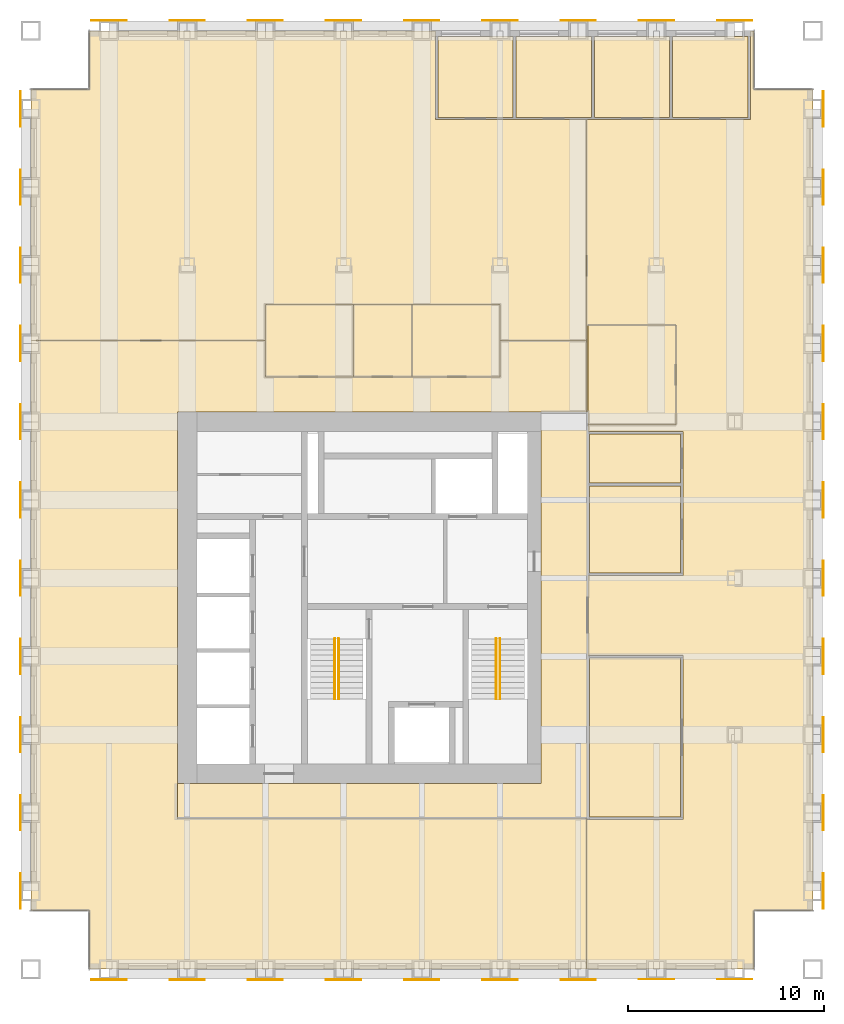
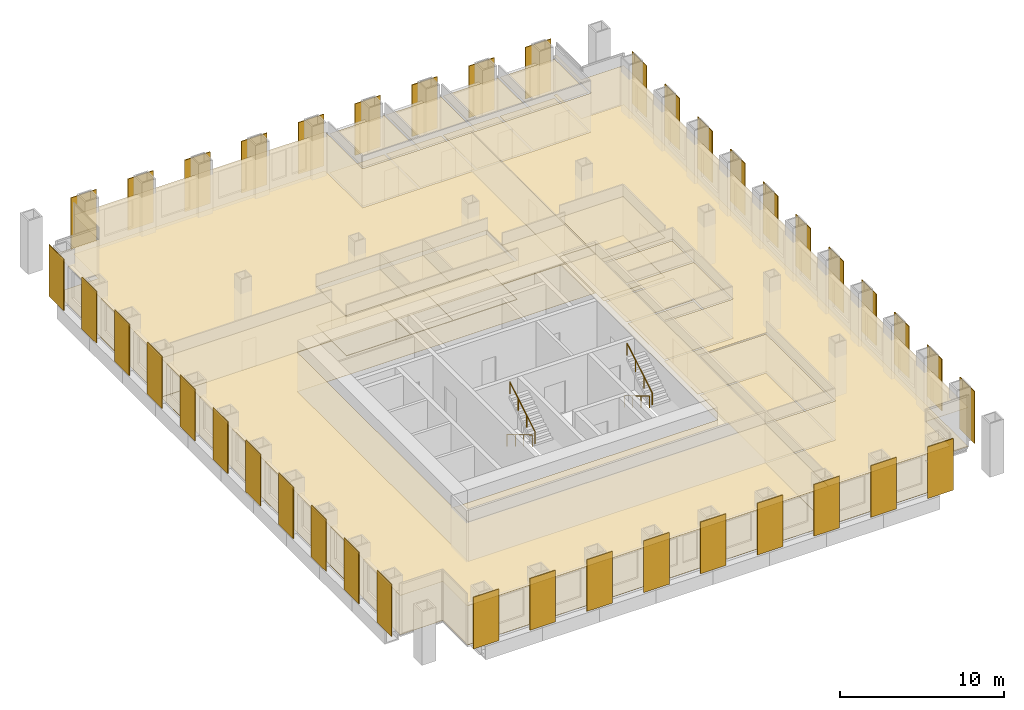
# One storey, part 13 of 13: 40 shading devices, 29 coverings, 4 railings.
"""IFC4 building model written with IfcOpenShell, lengths in metres."""

from ifc_helpers import new_model, si_unit, direction, frame, origin, origin_2d, place, context, subcontext, project, spatial, polyline, rectangle, circle, outline, extrude, material, layer, layer_set, type_object, element, save


model = new_model("IFC4")

# Units and contexts
model_context = context("Model", 3, precision=1e-05, world=origin(), true_north=direction((0.0, 1.0)))
body_context = subcontext(model_context, "Body", "Model", "MODEL_VIEW")
ifc_project = project(units=[si_unit("LENGTHUNIT", "METRE"), si_unit("AREAUNIT", "SQUARE_METRE"), si_unit("VOLUMEUNIT", "CUBIC_METRE"), si_unit("PLANEANGLEUNIT", "RADIAN"), si_unit("MASSUNIT", "GRAM", prefix="KILO")], contexts=[model_context])

# Site, building, storey
site_placement = place(None, origin())
site = spatial("IfcSite", under=ifc_project, at=site_placement, CompositionType="ELEMENT")
building_placement = place(site_placement, origin())
building = spatial("IfcBuilding", under=site, at=building_placement, Name="Rimbunsela Tower", CompositionType="ELEMENT")
storey_placement = place(building_placement, frame((0.0, 0.0, 218.199951171875)))
storey = spatial("IfcBuildingStorey", under=building, at=storey_placement, Name="L52", CompositionType="ELEMENT", Elevation=218.199951171875)

# Coverings
ifc_material_1 = material(Name="Nylon carpet tile", Category="textile")
ifc_layer_1 = layer(ifc_material_1, 0.010009765625)
ifc_layer_set_1 = layer_set([ifc_layer_1], Name="Carpet tile 10")
covering_type_1 = type_object("IfcCoveringType", Name="Carpet tile 10", PredefinedType="FLOORING", material=ifc_layer_set_1)
covering_1_placement = place(storey_placement, origin())
element("IfcCovering", 1, at=covering_1_placement, inside=storey, type_object=covering_type_1, Name="Floor finish Open office", PredefinedType="FLOORING", context=body_context, shape_type="SweptSolid", body=[
    extrude(outline(polyline([(38.425048828125, 51.449951171875), (38.5, 51.449951171875), (38.699951171875, 51.449951171875), (38.800048828125, 51.449951171875), (42.699951171875, 51.449951171875), (42.800048828125, 51.449951171875), (46.800048828125, 51.449951171875), (46.800048828125, 56.0), (47.0, 56.0), (47.0, 53.0), (50.0, 53.0), (50.0, 11.0), (47.0, 11.0), (47.0, 8.0), (38.5, 8.0), (38.425048828125, 8.0), (38.425048828125, 15.699951171875), (38.449951171875, 15.699951171875), (38.449951171875, 15.64990234375), (38.5, 15.64990234375), (43.35009765625, 15.64990234375), (43.35009765625, 24.050048828125), (38.5, 24.050048828125), (38.5, 28.14990234375), (43.35009765625, 28.14990234375), (43.35009765625, 32.75), (43.35009765625, 32.85009765625), (43.35009765625, 35.5), (38.5, 35.5), (38.5, 35.85009765625), (43.0, 35.85009765625), (43.0, 40.949951171875), (38.5, 40.949951171875), (38.5, 36.5), (38.425048828125, 36.5), (38.425048828125, 51.449951171875)])), origin(), (0.0, 0.0, 1.0), 0.010009765625),
])
covering_2_placement = place(storey_placement, origin())
element("IfcCovering", 2, at=covering_2_placement, inside=storey, type_object=covering_type_1, Name="Floor finish Open office", PredefinedType="FLOORING", context=body_context, shape_type="SweptSolid", body=[
    extrude(outline(polyline([(10.0, 40.14990234375), (10.0, 53.0), (13.0, 53.0), (13.0, 56.0), (17.5, 56.0), (30.699951171875, 56.0), (30.699951171875, 51.449951171875), (34.699951171875, 51.449951171875), (34.800048828125, 51.449951171875), (38.425048828125, 51.449951171875), (38.425048828125, 40.14990234375), (34.0, 40.14990234375), (34.0, 42.0), (22.0, 42.0), (22.0, 40.14990234375), (10.0, 40.14990234375)])), origin(), (0.0, 0.0, 1.0), 0.010009765625),
])
covering_3_placement = place(storey_placement, origin())
element("IfcCovering", 3, at=covering_3_placement, inside=storey, type_object=covering_type_1, Name="Floor finish Open office", PredefinedType="FLOORING", context=body_context, shape_type="SweptSolid", body=[
    extrude(outline(polyline([(13.0, 8.0), (13.0, 11.0), (10.0, 11.0), (10.0, 40.14990234375), (22.0, 40.14990234375), (22.0, 38.300048828125), (34.0, 38.300048828125), (34.0, 40.14990234375), (38.425048828125, 40.14990234375), (38.425048828125, 36.5), (36.10009765625, 36.5), (17.5, 36.5), (17.5, 17.5), (17.5, 15.699951171875), (38.425048828125, 15.699951171875), (38.425048828125, 8.0), (17.5, 8.0), (13.0, 8.0)])), origin(), (0.0, 0.0, 1.0), 0.010009765625),
])
covering_4_placement = place(storey_placement, origin())
element("IfcCovering", 4, at=covering_4_placement, inside=storey, type_object=covering_type_1, Name="Floor finish Reception", PredefinedType="FLOORING", context=body_context, shape_type="SweptSolid", body=[
    extrude(outline(polyline([(43.0, 35.85009765625), (43.0, 40.949951171875), (38.5, 40.949951171875), (38.5, 35.85009765625), (43.0, 35.85009765625)])), origin(), (0.0, 0.0, 1.0), 0.010009765625),
])
covering_5_placement = place(storey_placement, origin())
element("IfcCovering", 5, at=covering_5_placement, inside=storey, type_object=covering_type_1, Name="Floor finish Executive office", PredefinedType="FLOORING", context=body_context, shape_type="SweptSolid", body=[
    extrude(outline(polyline([(34.675048828125, 51.574951171875), (34.675048828125, 55.699951171875), (30.824951171875, 55.699951171875), (30.824951171875, 51.574951171875), (34.675048828125, 51.574951171875)])), origin(), (0.0, 0.0, 1.0), 0.010009765625),
])
covering_6_placement = place(storey_placement, origin())
element("IfcCovering", 6, at=covering_6_placement, inside=storey, type_object=covering_type_1, Name="Floor finish Executive office", PredefinedType="FLOORING", context=body_context, shape_type="SweptSolid", body=[
    extrude(outline(polyline([(38.675048828125, 51.574951171875), (38.675048828125, 55.699951171875), (34.824951171875, 55.699951171875), (34.824951171875, 51.574951171875), (38.675048828125, 51.574951171875)])), origin(), (0.0, 0.0, 1.0), 0.010009765625),
])
covering_7_placement = place(storey_placement, origin())
element("IfcCovering", 7, at=covering_7_placement, inside=storey, type_object=covering_type_1, Name="Floor finish Executive office", PredefinedType="FLOORING", context=body_context, shape_type="SweptSolid", body=[
    extrude(outline(polyline([(42.675048828125, 51.574951171875), (42.675048828125, 55.699951171875), (38.824951171875, 55.699951171875), (38.824951171875, 51.574951171875), (42.675048828125, 51.574951171875)])), origin(), (0.0, 0.0, 1.0), 0.010009765625),
])
covering_8_placement = place(storey_placement, origin())
element("IfcCovering", 8, at=covering_8_placement, inside=storey, type_object=covering_type_1, Name="Floor finish Executive office", PredefinedType="FLOORING", context=body_context, shape_type="SweptSolid", body=[
    extrude(outline(polyline([(46.675048828125, 51.574951171875), (46.675048828125, 55.699951171875), (42.824951171875, 55.699951171875), (42.824951171875, 51.574951171875), (46.675048828125, 51.574951171875)])), origin(), (0.0, 0.0, 1.0), 0.010009765625),
])
covering_9_placement = place(storey_placement, origin())
element("IfcCovering", 9, at=covering_9_placement, inside=storey, type_object=covering_type_1, Name="Floor finish Boardroom", PredefinedType="FLOORING", context=body_context, shape_type="SweptSolid", body=[
    extrude(outline(polyline([(43.22509765625, 15.77490234375), (43.22509765625, 23.925048828125), (38.574951171875, 23.925048828125), (38.574951171875, 15.77490234375), (43.22509765625, 15.77490234375)])), origin(), (0.0, 0.0, 1.0), 0.010009765625),
])
covering_10_placement = place(storey_placement, origin())
element("IfcCovering", 10, at=covering_10_placement, inside=storey, type_object=covering_type_1, Name="Floor finish Pantry", PredefinedType="FLOORING", context=body_context, shape_type="SweptSolid", body=[
    extrude(outline(polyline([(43.22509765625, 28.27490234375), (43.22509765625, 32.72509765625), (38.574951171875, 32.72509765625), (38.574951171875, 28.27490234375), (43.22509765625, 28.27490234375)])), origin(), (0.0, 0.0, 1.0), 0.010009765625),
])
covering_11_placement = place(storey_placement, origin())
element("IfcCovering", 11, at=covering_11_placement, inside=storey, type_object=covering_type_1, Name="Floor finish Print and copy room", PredefinedType="FLOORING", context=body_context, shape_type="SweptSolid", body=[
    extrude(outline(polyline([(43.22509765625, 32.875), (43.22509765625, 35.375), (38.574951171875, 35.375), (38.574951171875, 32.875), (43.22509765625, 32.875)])), origin(), (0.0, 0.0, 1.0), 0.010009765625),
])
ifc_material_2 = material(Name="Mineral fibre ceiling tile", Category="gypsum")
ifc_layer_2 = layer(ifc_material_2, 0.02001953125)
ifc_layer_set_2 = layer_set([ifc_layer_2], Name="Ceiling 600 grid")
covering_type_2 = type_object("IfcCoveringType", Name="Ceiling 600 grid", PredefinedType="CEILING", material=ifc_layer_set_2)
covering_12_placement = place(storey_placement, frame((0.0, 0.0, 2.900146484375)))
element("IfcCovering", 12, at=covering_12_placement, inside=storey, type_object=covering_type_2, Name="Ceiling L-shaped corridor", PredefinedType="CEILING", context=body_context, shape_type="SweptSolid", body=[
    extrude(outline(polyline([(38.5, 15.699951171875), (17.5, 15.699951171875), (17.5, 17.5), (36.10009765625, 17.5), (36.10009765625, 36.5), (38.5, 36.5), (38.5, 15.699951171875)])), origin(), (0.0, 0.0, 1.0), 0.02001953125),
])
covering_13_placement = place(storey_placement, frame((0.0, 0.0, 2.900146484375)))
element("IfcCovering", 13, at=covering_13_placement, inside=storey, type_object=covering_type_2, Name="Ceiling Open office", PredefinedType="CEILING", context=body_context, shape_type="SweptSolid", body=[
    extrude(outline(polyline([(38.425048828125, 51.449951171875), (38.5, 51.449951171875), (38.699951171875, 51.449951171875), (38.800048828125, 51.449951171875), (42.699951171875, 51.449951171875), (42.800048828125, 51.449951171875), (46.800048828125, 51.449951171875), (46.800048828125, 56.0), (47.0, 56.0), (47.0, 53.0), (50.0, 53.0), (50.0, 11.0), (47.0, 11.0), (47.0, 8.0), (38.5, 8.0), (38.425048828125, 8.0), (38.425048828125, 15.699951171875), (38.449951171875, 15.699951171875), (38.449951171875, 15.64990234375), (38.5, 15.64990234375), (43.35009765625, 15.64990234375), (43.35009765625, 24.050048828125), (38.5, 24.050048828125), (38.5, 28.14990234375), (43.35009765625, 28.14990234375), (43.35009765625, 32.75), (43.35009765625, 32.85009765625), (43.35009765625, 35.5), (38.5, 35.5), (38.5, 35.85009765625), (43.0, 35.85009765625), (43.0, 40.949951171875), (38.5, 40.949951171875), (38.5, 36.5), (38.425048828125, 36.5), (38.425048828125, 51.449951171875)])), origin(), (0.0, 0.0, 1.0), 0.02001953125),
])
covering_14_placement = place(storey_placement, frame((0.0, 0.0, 2.900146484375)))
element("IfcCovering", 14, at=covering_14_placement, inside=storey, type_object=covering_type_2, Name="Ceiling Open office", PredefinedType="CEILING", context=body_context, shape_type="SweptSolid", body=[
    extrude(outline(polyline([(10.0, 40.14990234375), (10.0, 53.0), (13.0, 53.0), (13.0, 56.0), (17.5, 56.0), (30.699951171875, 56.0), (30.699951171875, 51.449951171875), (34.699951171875, 51.449951171875), (34.800048828125, 51.449951171875), (38.425048828125, 51.449951171875), (38.425048828125, 40.14990234375), (34.0, 40.14990234375), (34.0, 42.0), (22.0, 42.0), (22.0, 40.14990234375), (10.0, 40.14990234375)])), origin(), (0.0, 0.0, 1.0), 0.02001953125),
])
covering_15_placement = place(storey_placement, frame((0.0, 0.0, 2.900146484375)))
element("IfcCovering", 15, at=covering_15_placement, inside=storey, type_object=covering_type_2, Name="Ceiling Open office", PredefinedType="CEILING", context=body_context, shape_type="SweptSolid", body=[
    extrude(outline(polyline([(13.0, 8.0), (13.0, 11.0), (10.0, 11.0), (10.0, 40.14990234375), (22.0, 40.14990234375), (22.0, 38.300048828125), (34.0, 38.300048828125), (34.0, 40.14990234375), (38.425048828125, 40.14990234375), (38.425048828125, 36.5), (36.10009765625, 36.5), (17.5, 36.5), (17.5, 17.5), (17.5, 15.699951171875), (38.425048828125, 15.699951171875), (38.425048828125, 8.0), (17.5, 8.0), (13.0, 8.0)])), origin(), (0.0, 0.0, 1.0), 0.02001953125),
])
covering_16_placement = place(storey_placement, frame((0.0, 0.0, 2.900146484375)))
element("IfcCovering", 16, at=covering_16_placement, inside=storey, type_object=covering_type_2, Name="Ceiling Reception", PredefinedType="CEILING", context=body_context, shape_type="SweptSolid", body=[
    extrude(outline(polyline([(43.0, 35.85009765625), (43.0, 40.949951171875), (38.5, 40.949951171875), (38.5, 35.85009765625), (43.0, 35.85009765625)])), origin(), (0.0, 0.0, 1.0), 0.02001953125),
])
covering_17_placement = place(storey_placement, frame((0.0, 0.0, 2.900146484375)))
element("IfcCovering", 17, at=covering_17_placement, inside=storey, type_object=covering_type_2, Name="Ceiling Executive office", PredefinedType="CEILING", context=body_context, shape_type="SweptSolid", body=[
    extrude(outline(polyline([(34.675048828125, 51.574951171875), (34.675048828125, 55.699951171875), (30.824951171875, 55.699951171875), (30.824951171875, 51.574951171875), (34.675048828125, 51.574951171875)])), origin(), (0.0, 0.0, 1.0), 0.02001953125),
])
covering_18_placement = place(storey_placement, frame((0.0, 0.0, 2.900146484375)))
element("IfcCovering", 18, at=covering_18_placement, inside=storey, type_object=covering_type_2, Name="Ceiling Executive office", PredefinedType="CEILING", context=body_context, shape_type="SweptSolid", body=[
    extrude(outline(polyline([(38.675048828125, 51.574951171875), (38.675048828125, 55.699951171875), (34.824951171875, 55.699951171875), (34.824951171875, 51.574951171875), (38.675048828125, 51.574951171875)])), origin(), (0.0, 0.0, 1.0), 0.02001953125),
])
covering_19_placement = place(storey_placement, frame((0.0, 0.0, 2.900146484375)))
element("IfcCovering", 19, at=covering_19_placement, inside=storey, type_object=covering_type_2, Name="Ceiling Executive office", PredefinedType="CEILING", context=body_context, shape_type="SweptSolid", body=[
    extrude(outline(polyline([(42.675048828125, 51.574951171875), (42.675048828125, 55.699951171875), (38.824951171875, 55.699951171875), (38.824951171875, 51.574951171875), (42.675048828125, 51.574951171875)])), origin(), (0.0, 0.0, 1.0), 0.02001953125),
])
covering_20_placement = place(storey_placement, frame((0.0, 0.0, 2.900146484375)))
element("IfcCovering", 20, at=covering_20_placement, inside=storey, type_object=covering_type_2, Name="Ceiling Executive office", PredefinedType="CEILING", context=body_context, shape_type="SweptSolid", body=[
    extrude(outline(polyline([(46.675048828125, 51.574951171875), (46.675048828125, 55.699951171875), (42.824951171875, 55.699951171875), (42.824951171875, 51.574951171875), (46.675048828125, 51.574951171875)])), origin(), (0.0, 0.0, 1.0), 0.02001953125),
])
covering_21_placement = place(storey_placement, frame((0.0, 0.0, 2.900146484375)))
element("IfcCovering", 21, at=covering_21_placement, inside=storey, type_object=covering_type_2, Name="Ceiling Boardroom", PredefinedType="CEILING", context=body_context, shape_type="SweptSolid", body=[
    extrude(outline(polyline([(43.22509765625, 15.77490234375), (43.22509765625, 23.925048828125), (38.574951171875, 23.925048828125), (38.574951171875, 15.77490234375), (43.22509765625, 15.77490234375)])), origin(), (0.0, 0.0, 1.0), 0.02001953125),
])
covering_22_placement = place(storey_placement, frame((0.0, 0.0, 2.900146484375)))
element("IfcCovering", 22, at=covering_22_placement, inside=storey, type_object=covering_type_2, Name="Ceiling Pantry", PredefinedType="CEILING", context=body_context, shape_type="SweptSolid", body=[
    extrude(outline(polyline([(43.22509765625, 28.27490234375), (43.22509765625, 32.72509765625), (38.574951171875, 32.72509765625), (38.574951171875, 28.27490234375), (43.22509765625, 28.27490234375)])), origin(), (0.0, 0.0, 1.0), 0.02001953125),
])
covering_23_placement = place(storey_placement, frame((0.0, 0.0, 2.900146484375)))
element("IfcCovering", 23, at=covering_23_placement, inside=storey, type_object=covering_type_2, Name="Ceiling Print and copy room", PredefinedType="CEILING", context=body_context, shape_type="SweptSolid", body=[
    extrude(outline(polyline([(43.22509765625, 32.875), (43.22509765625, 35.375), (38.574951171875, 35.375), (38.574951171875, 32.875), (43.22509765625, 32.875)])), origin(), (0.0, 0.0, 1.0), 0.02001953125),
])
ifc_material_3 = material(Name="Moisture-resistant plasterboard ceiling", Category="gypsum")
ifc_layer_3 = layer(ifc_material_3, 0.012451171875)
ifc_layer_set_3 = layer_set([ifc_layer_3], Name="Ceiling moisture-resistant board")
covering_type_3 = type_object("IfcCoveringType", Name="Ceiling moisture-resistant board", PredefinedType="CEILING", material=ifc_layer_set_3)
covering_24_placement = place(storey_placement, frame((0.0, 0.0, 2.60009765625)))
element("IfcCovering", 24, at=covering_24_placement, inside=storey, type_object=covering_type_3, Name="Ceiling Female WC", PredefinedType="CEILING", context=body_context, shape_type="SweptSolid", body=[
    extrude(outline(polyline([(26.5, 38.300048828125), (26.5, 42.0), (22.0, 42.0), (22.0, 38.300048828125), (26.5, 38.300048828125)])), origin(), (0.0, 0.0, 1.0), 0.02001953125),
])
covering_25_placement = place(storey_placement, frame((0.0, 0.0, 2.60009765625)))
element("IfcCovering", 25, at=covering_25_placement, inside=storey, type_object=covering_type_3, Name="Ceiling Accessible WC", PredefinedType="CEILING", context=body_context, shape_type="SweptSolid", body=[
    extrude(outline(polyline([(29.5, 38.300048828125), (29.5, 42.0), (26.5, 42.0), (26.5, 38.300048828125), (29.5, 38.300048828125)])), origin(), (0.0, 0.0, 1.0), 0.02001953125),
])
covering_26_placement = place(storey_placement, frame((0.0, 0.0, 2.60009765625)))
element("IfcCovering", 26, at=covering_26_placement, inside=storey, type_object=covering_type_3, Name="Ceiling Male WC", PredefinedType="CEILING", context=body_context, shape_type="SweptSolid", body=[
    extrude(outline(polyline([(34.0, 38.300048828125), (34.0, 42.0), (29.5, 42.0), (29.5, 38.300048828125), (34.0, 38.300048828125)])), origin(), (0.0, 0.0, 1.0), 0.02001953125),
])
ifc_material_4 = material(Name="Porcelain floor tile in adhesive bed", Category="ceramic")
ifc_layer_4 = layer(ifc_material_4, 0.02001953125)
ifc_layer_set_4 = layer_set([ifc_layer_4], Name="Porcelain tile 20")
covering_type_4 = type_object("IfcCoveringType", Name="Porcelain tile 20", PredefinedType="FLOORING", material=ifc_layer_set_4)
covering_27_placement = place(storey_placement, origin())
element("IfcCovering", 27, at=covering_27_placement, inside=storey, type_object=covering_type_4, Name="Floor finish Female WC", PredefinedType="FLOORING", context=body_context, shape_type="SweptSolid", body=[
    extrude(outline(polyline([(26.5, 38.300048828125), (26.5, 42.0), (22.0, 42.0), (22.0, 38.300048828125), (26.5, 38.300048828125)])), origin(), (0.0, 0.0, 1.0), 0.02001953125),
])
covering_28_placement = place(storey_placement, origin())
element("IfcCovering", 28, at=covering_28_placement, inside=storey, type_object=covering_type_4, Name="Floor finish Accessible WC", PredefinedType="FLOORING", context=body_context, shape_type="SweptSolid", body=[
    extrude(outline(polyline([(29.5, 38.300048828125), (29.5, 42.0), (26.5, 42.0), (26.5, 38.300048828125), (29.5, 38.300048828125)])), origin(), (0.0, 0.0, 1.0), 0.02001953125),
])
covering_29_placement = place(storey_placement, origin())
element("IfcCovering", 29, at=covering_29_placement, inside=storey, type_object=covering_type_4, Name="Floor finish Male WC", PredefinedType="FLOORING", context=body_context, shape_type="SweptSolid", body=[
    extrude(outline(polyline([(34.0, 38.300048828125), (34.0, 42.0), (29.5, 42.0), (29.5, 38.300048828125), (34.0, 38.300048828125)])), origin(), (0.0, 0.0, 1.0), 0.02001953125),
])

# Shading devices
ifc_material_5 = material(Name="Perforated aluminium, 35 % open area", Category="aluminium")
ifc_layer_5 = layer(ifc_material_5, 0.050048828125)
ifc_layer_set_5 = layer_set([ifc_layer_5], Name="Solar screen panel 1800")
shading_device_type = type_object("IfcShadingDeviceType", Name="Solar screen panel 1800", PredefinedType="USERDEFINED", material=ifc_layer_set_5)
for number, where, z_axis, x_axis, name in (
    (30, (14.0, 7.47509765625, 0.0), (0.0, 0.0, 1.0), (1.0, 0.0, 0.0), "Solar screen S L52"),
    (31, (18.0, 7.47509765625, 0.0), (0.0, 0.0, 1.0), (1.0, 0.0, 0.0), "Solar screen S L52"),
    (32, (22.0, 7.47509765625, 0.0), (0.0, 0.0, 1.0), (1.0, 0.0, 0.0), "Solar screen S L52"),
    (33, (26.0, 7.47509765625, 0.0), (0.0, 0.0, 1.0), (1.0, 0.0, 0.0), "Solar screen S L52"),
    (34, (30.0, 7.47509765625, 0.0), (0.0, 0.0, 1.0), (1.0, 0.0, 0.0), "Solar screen S L52"),
    (35, (34.0, 7.47509765625, 0.0), (0.0, 0.0, 1.0), (1.0, 0.0, 0.0), "Solar screen S L52"),
    (36, (38.0, 7.47509765625, 0.0), (0.0, 0.0, 1.0), (1.0, 0.0, 0.0), "Solar screen S L52"),
    (37, (42.0, 7.47509765625, 0.0), (0.0, 0.0, 1.0), (1.0, 0.0, 0.0), "Solar screen S L52"),
    (38, (46.0, 7.47509765625, 0.0), (0.0, 0.0, 1.0), (1.0, 0.0, 0.0), "Solar screen S L52"),
    (39, (50.52490234375, 12.0, 0.0), (0.0, 0.0, 1.0), (0.0, 1.0, 0.0), "Solar screen E L52"),
    (40, (50.52490234375, 16.0, 0.0), (0.0, 0.0, 1.0), (0.0, 1.0, 0.0), "Solar screen E L52"),
    (41, (50.52490234375, 20.0, 0.0), (0.0, 0.0, 1.0), (0.0, 1.0, 0.0), "Solar screen E L52"),
    (42, (50.52490234375, 24.0, 0.0), (0.0, 0.0, 1.0), (0.0, 1.0, 0.0), "Solar screen E L52"),
    (43, (50.52490234375, 28.0, 0.0), (0.0, 0.0, 1.0), (0.0, 1.0, 0.0), "Solar screen E L52"),
    (44, (50.52490234375, 32.0, 0.0), (0.0, 0.0, 1.0), (0.0, 1.0, 0.0), "Solar screen E L52"),
    (45, (50.52490234375, 36.0, 0.0), (0.0, 0.0, 1.0), (0.0, 1.0, 0.0), "Solar screen E L52"),
    (46, (50.52490234375, 40.0, 0.0), (0.0, 0.0, 1.0), (0.0, 1.0, 0.0), "Solar screen E L52"),
    (47, (50.52490234375, 44.0, 0.0), (0.0, 0.0, 1.0), (0.0, 1.0, 0.0), "Solar screen E L52"),
    (48, (50.52490234375, 48.0, 0.0), (0.0, 0.0, 1.0), (0.0, 1.0, 0.0), "Solar screen E L52"),
    (49, (50.52490234375, 52.0, 0.0), (0.0, 0.0, 1.0), (0.0, 1.0, 0.0), "Solar screen E L52"),
    (50, (14.0, 56.52490234375, 0.0), (0.0, 0.0, 1.0), (1.0, 0.0, 0.0), "Solar screen N L52"),
    (51, (18.0, 56.52490234375, 0.0), (0.0, 0.0, 1.0), (1.0, 0.0, 0.0), "Solar screen N L52"),
    (52, (22.0, 56.52490234375, 0.0), (0.0, 0.0, 1.0), (1.0, 0.0, 0.0), "Solar screen N L52"),
    (53, (26.0, 56.52490234375, 0.0), (0.0, 0.0, 1.0), (1.0, 0.0, 0.0), "Solar screen N L52"),
    (54, (30.0, 56.52490234375, 0.0), (0.0, 0.0, 1.0), (1.0, 0.0, 0.0), "Solar screen N L52"),
    (55, (34.0, 56.52490234375, 0.0), (0.0, 0.0, 1.0), (1.0, 0.0, 0.0), "Solar screen N L52"),
    (56, (38.0, 56.52490234375, 0.0), (0.0, 0.0, 1.0), (1.0, 0.0, 0.0), "Solar screen N L52"),
    (57, (42.0, 56.52490234375, 0.0), (0.0, 0.0, 1.0), (1.0, 0.0, 0.0), "Solar screen N L52"),
    (58, (46.0, 56.52490234375, 0.0), (0.0, 0.0, 1.0), (1.0, 0.0, 0.0), "Solar screen N L52"),
    (59, (9.47509765625, 12.0, 0.0), (0.0, 0.0, 1.0), (0.0, 1.0, 0.0), "Solar screen W L52"),
    (60, (9.47509765625, 16.0, 0.0), (0.0, 0.0, 1.0), (0.0, 1.0, 0.0), "Solar screen W L52"),
    (61, (9.47509765625, 20.0, 0.0), (0.0, 0.0, 1.0), (0.0, 1.0, 0.0), "Solar screen W L52"),
    (62, (9.47509765625, 24.0, 0.0), (0.0, 0.0, 1.0), (0.0, 1.0, 0.0), "Solar screen W L52"),
    (63, (9.47509765625, 28.0, 0.0), (0.0, 0.0, 1.0), (0.0, 1.0, 0.0), "Solar screen W L52"),
    (64, (9.47509765625, 32.0, 0.0), (0.0, 0.0, 1.0), (0.0, 1.0, 0.0), "Solar screen W L52"),
    (65, (9.47509765625, 36.0, 0.0), (0.0, 0.0, 1.0), (0.0, 1.0, 0.0), "Solar screen W L52"),
    (66, (9.47509765625, 40.0, 0.0), (0.0, 0.0, 1.0), (0.0, 1.0, 0.0), "Solar screen W L52"),
    (67, (9.47509765625, 44.0, 0.0), (0.0, 0.0, 1.0), (0.0, 1.0, 0.0), "Solar screen W L52"),
    (68, (9.47509765625, 48.0, 0.0), (0.0, 0.0, 1.0), (0.0, 1.0, 0.0), "Solar screen W L52"),
    (69, (9.47509765625, 52.0, 0.0), (0.0, 0.0, 1.0), (0.0, 1.0, 0.0), "Solar screen W L52"),
):
    element("IfcShadingDevice", number, at=place(storey_placement, frame(where, z_axis=z_axis, x_axis=x_axis)), inside=storey, type_object=shading_device_type, Name=name, ObjectType="SCREEN", PredefinedType="USERDEFINED", context=body_context, shape_type="SweptSolid", body=[
        extrude(rectangle(XDim=1.800048828125, YDim=0.050048828125, at=origin_2d()), origin(), (0.0, 0.0, 1.0), 3.85009765625),
    ])

# Railings
ifc_material_6 = material(Name="Stainless steel tube", Category="steel")
railing_type = type_object("IfcRailingType", Name="Stair handrail 900", PredefinedType="HANDRAIL", material=ifc_material_6)
railing_1_placement = place(storey_placement, frame((25.550048828125, 24.89990234375, 0.166748046875)))
element("IfcRailing", 70, at=railing_1_placement, inside=storey, type_object=railing_type, Name="Handrail ST-A flight 1", PredefinedType="HANDRAIL", context=body_context, shape_type="SweptSolid", body=[
    extrude(circle(Radius=0.02392578125, at=origin_2d()), frame((0.0, 0.0, 0.8759765625), z_axis=(0.0, -0.859290745958, 0.51148745235), x_axis=(1.0, 0.0, 0.0)), (0.0, 0.0, 1.0), 3.584228515625),
    extrude(circle(Radius=0.02099609375, at=origin_2d()), origin(), (0.0, 0.0, 1.0), 0.851806640625),
    extrude(circle(Radius=0.02099609375, at=origin_2d()), frame((0.0, -1.026611328125, 0.611083984375)), (0.0, 0.0, 1.0), 0.851806640625),
    extrude(circle(Radius=0.02099609375, at=origin_2d()), frame((0.0, -2.05322265625, 1.22216796875)), (0.0, 0.0, 1.0), 0.851806640625),
    extrude(circle(Radius=0.02099609375, at=origin_2d()), frame((0.0, -3.079833984375, 1.833251953125)), (0.0, 0.0, 1.0), 0.851806640625),
])
railing_2_placement = place(storey_placement, frame((25.75, 21.820068359375, 2.166748046875)))
element("IfcRailing", 71, at=railing_2_placement, inside=storey, type_object=railing_type, Name="Handrail ST-A flight 2", PredefinedType="HANDRAIL", context=body_context, shape_type="SweptSolid", body=[
    extrude(circle(Radius=0.02392578125, at=origin_2d()), frame((0.0, 0.0, 0.8759765625), z_axis=(0.0, 0.859290745958, 0.51148745235), x_axis=(-1.0, 0.0, 0.0)), (0.0, 0.0, 1.0), 3.584228515625),
    extrude(circle(Radius=0.02099609375, at=origin_2d()), origin(), (0.0, 0.0, 1.0), 0.851806640625),
    extrude(circle(Radius=0.02099609375, at=origin_2d()), frame((0.0, 1.026611328125, 0.611083984375)), (0.0, 0.0, 1.0), 0.851806640625),
    extrude(circle(Radius=0.02099609375, at=origin_2d()), frame((0.0, 2.05322265625, 1.22216796875)), (0.0, 0.0, 1.0), 0.851806640625),
    extrude(circle(Radius=0.02099609375, at=origin_2d()), frame((0.0, 3.079833984375, 1.833251953125)), (0.0, 0.0, 1.0), 0.851806640625),
])
railing_3_placement = place(storey_placement, frame((33.800048828125, 24.89990234375, 0.166748046875)))
element("IfcRailing", 72, at=railing_3_placement, inside=storey, type_object=railing_type, Name="Handrail ST-B flight 1", PredefinedType="HANDRAIL", context=body_context, shape_type="SweptSolid", body=[
    extrude(circle(Radius=0.02392578125, at=origin_2d()), frame((0.0, 0.0, 0.8759765625), z_axis=(0.0, -0.859290745958, 0.51148745235), x_axis=(1.0, 0.0, 0.0)), (0.0, 0.0, 1.0), 3.584228515625),
    extrude(circle(Radius=0.02099609375, at=origin_2d()), origin(), (0.0, 0.0, 1.0), 0.851806640625),
    extrude(circle(Radius=0.02099609375, at=origin_2d()), frame((0.0, -1.026611328125, 0.611083984375)), (0.0, 0.0, 1.0), 0.851806640625),
    extrude(circle(Radius=0.02099609375, at=origin_2d()), frame((0.0, -2.05322265625, 1.22216796875)), (0.0, 0.0, 1.0), 0.851806640625),
    extrude(circle(Radius=0.02099609375, at=origin_2d()), frame((0.0, -3.079833984375, 1.833251953125)), (0.0, 0.0, 1.0), 0.851806640625),
])
railing_4_placement = place(storey_placement, frame((34.0, 21.820068359375, 2.166748046875)))
element("IfcRailing", 73, at=railing_4_placement, inside=storey, type_object=railing_type, Name="Handrail ST-B flight 2", PredefinedType="HANDRAIL", context=body_context, shape_type="SweptSolid", body=[
    extrude(circle(Radius=0.02392578125, at=origin_2d()), frame((0.0, 0.0, 0.8759765625), z_axis=(0.0, 0.859290745958, 0.51148745235), x_axis=(-1.0, 0.0, 0.0)), (0.0, 0.0, 1.0), 3.584228515625),
    extrude(circle(Radius=0.02099609375, at=origin_2d()), origin(), (0.0, 0.0, 1.0), 0.851806640625),
    extrude(circle(Radius=0.02099609375, at=origin_2d()), frame((0.0, 1.026611328125, 0.611083984375)), (0.0, 0.0, 1.0), 0.851806640625),
    extrude(circle(Radius=0.02099609375, at=origin_2d()), frame((0.0, 2.05322265625, 1.22216796875)), (0.0, 0.0, 1.0), 0.851806640625),
    extrude(circle(Radius=0.02099609375, at=origin_2d()), frame((0.0, 3.079833984375, 1.833251953125)), (0.0, 0.0, 1.0), 0.851806640625),
])

save(model, "model.ifc")
